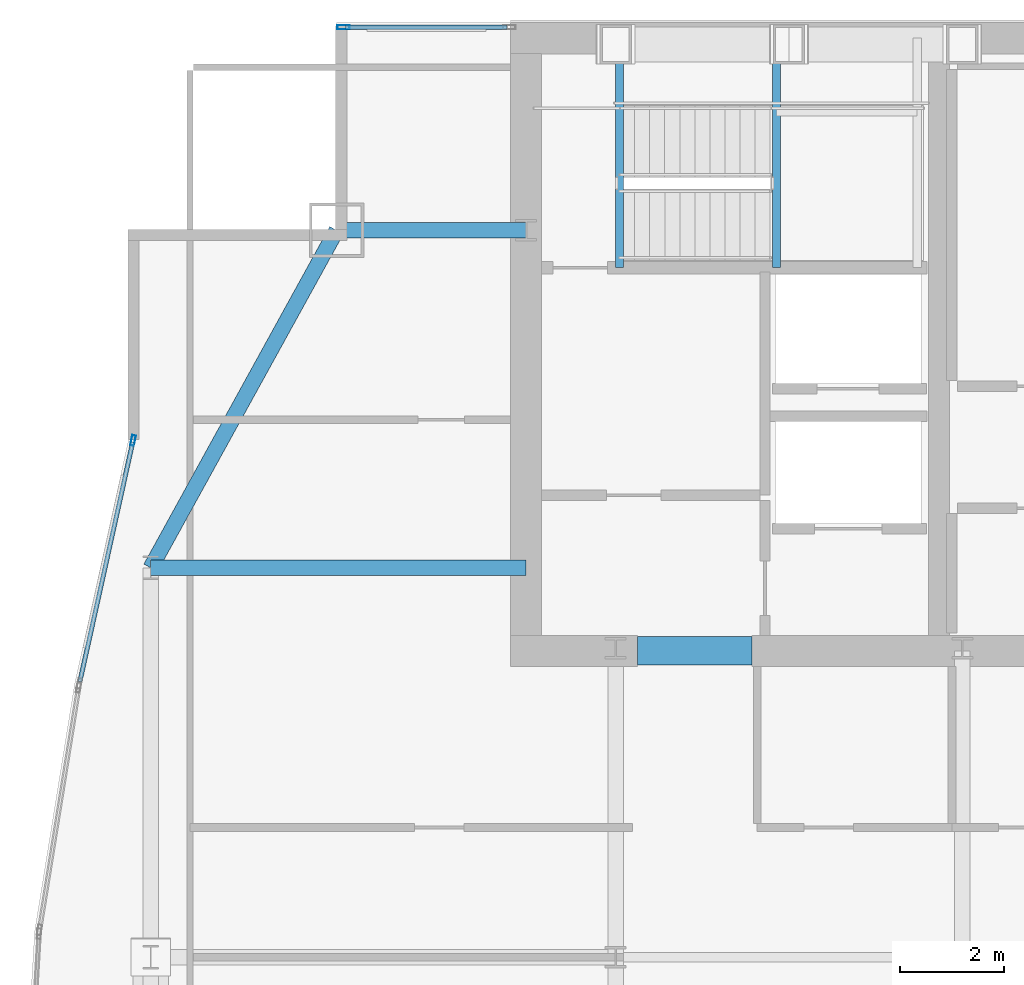
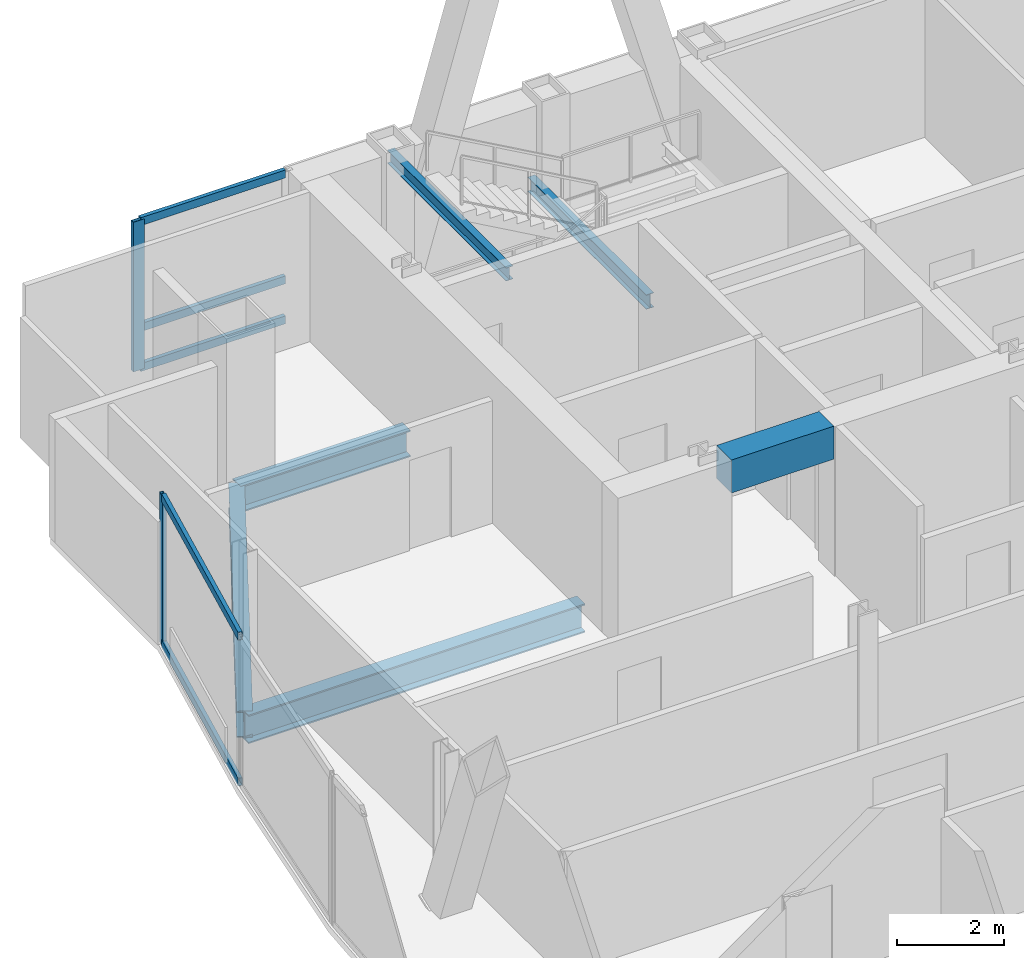
# One storey, part 21 of 31: 7 members, 6 beams, 2 elements without a shape of their own.
"""IFC4 building model written with IfcOpenShell, lengths in metres."""

from ifc_helpers import new_model, si_unit, direction, frame, origin, origin_2d, place, context, subcontext, project, spatial, rectangle, hollow_rectangle, i_section, extrude, material, material_profile, profile_set, type_object, element, aggregate, save


model = new_model("IFC4")

# Units and contexts
model_context = context("Model", 3, precision=1e-05, world=origin(), true_north=direction((0.0, 1.0)))
body_context = subcontext(model_context, "Body", "Model", "MODEL_VIEW")
ifc_project = project(units=[si_unit("LENGTHUNIT", "METRE"), si_unit("AREAUNIT", "SQUARE_METRE"), si_unit("VOLUMEUNIT", "CUBIC_METRE"), si_unit("PLANEANGLEUNIT", "RADIAN"), si_unit("MASSUNIT", "GRAM", prefix="KILO")], contexts=[model_context])

# Site, building, storey
site_placement = place(None, origin())
site = spatial("IfcSite", under=ifc_project, at=site_placement, CompositionType="ELEMENT")
building_placement = place(site_placement, origin())
building = spatial("IfcBuilding", under=site, at=building_placement, Name="Khoronbel Lancet Exchange", CompositionType="ELEMENT")
storey_placement = place(building_placement, frame((0.0, 0.0, 261.800048828125)))
storey = spatial("IfcBuildingStorey", under=building, at=storey_placement, Name="L67", CompositionType="ELEMENT", Elevation=261.800048828125)

# Beams
ifc_material_1 = material(Name="Steel S355", Category="steel")
ifc_material_profile_1 = material_profile(ifc_material_1, i_section(OverallWidth=0.300048828125, OverallDepth=0.64990234375, WebThickness=0.01611328125, FlangeThickness=0.031005859375, at=origin_2d()), Name="HEB 650")
ifc_profile_set_1 = profile_set([ifc_material_profile_1], Name="Steel S355")
beam_type_1 = type_object("IfcBeamType", Name="BM-BG4", PredefinedType="BEAM", material=ifc_profile_set_1)
beam_1_placement = place(storey_placement, frame((9.27001953125, 43.199951171875, -0.485107421875), z_axis=(1.0, 0.0, 0.0), x_axis=(0.0, 1.0, 0.0)))
element("IfcBeam", 1, at=beam_1_placement, inside=storey, type_object=beam_type_1, Name="Level L67 west lens tie girder LG3W", PredefinedType="BEAM", context=body_context, shape_type="SweptSolid", body=[
    extrude(i_section(OverallWidth=0.300048828125, OverallDepth=0.64990234375, WebThickness=0.01611328125, FlangeThickness=0.031005859375, at=origin_2d()), origin(), (0.0, 0.0, 1.0), 7.22998046875),
])
ifc_material_profile_2 = material_profile(ifc_material_1, i_section(OverallWidth=0.159912109375, OverallDepth=0.330078125, WebThickness=0.007568359375, FlangeThickness=0.011474609375, at=origin_2d()), Name="IPE 330")
ifc_profile_set_2 = profile_set([ifc_material_profile_2], Name="Steel S355")
beam_type_2 = type_object("IfcBeamType", Name="BM-BJ7", PredefinedType="JOIST", material=ifc_profile_set_2)
beam_2_placement = place(storey_placement, frame((21.320068359375, 48.97998046875, 1.43505859375), z_axis=(0.0, 1.0, 0.0), x_axis=(-1.0, 0.0, 0.0)))
element("IfcBeam", 2, at=beam_2_placement, inside=storey, type_object=beam_type_2, Name="Level L67 stair ST1 landing bearer beam 1", PredefinedType="JOIST", context=body_context, shape_type="SweptSolid", body=[
    extrude(i_section(OverallWidth=0.159912109375, OverallDepth=0.330078125, WebThickness=0.007568359375, FlangeThickness=0.011474609375, at=origin_2d()), origin(), (0.0, 0.0, 1.0), 4.419921875),
])
ifc_material_profile_3 = material_profile(ifc_material_1, i_section(OverallWidth=0.14990234375, OverallDepth=0.300048828125, WebThickness=0.007080078125, FlangeThickness=0.0107421875, at=origin_2d()), Name="IPE 300")
ifc_profile_set_3 = profile_set([ifc_material_profile_3], Name="Steel S355")
beam_type_3 = type_object("IfcBeamType", Name="BM-BJ8", PredefinedType="JOIST", material=ifc_profile_set_3)
beam_3_placement = place(storey_placement, frame((18.300048828125, 48.97998046875, 3.119873046875), z_axis=(0.0, 1.0, 0.0), x_axis=(-1.0, 0.0, 0.0)))
element("IfcBeam", 3, at=beam_3_placement, inside=storey, type_object=beam_type_3, Name="Level L67 stair ST1 upper-flight arrival trimmer beam", PredefinedType="JOIST", context=body_context, shape_type="SweptSolid", body=[
    extrude(i_section(OverallWidth=0.14990234375, OverallDepth=0.300048828125, WebThickness=0.007080078125, FlangeThickness=0.0107421875, at=origin_2d()), origin(), (0.0, 0.0, 1.0), 4.419921875),
])
ifc_material_2 = material(Name="Concrete C60/75", Category="concrete")
ifc_material_profile_4 = material_profile(ifc_material_2, rectangle(XDim=0.550048828125, YDim=0.75, at=origin_2d()), Name="RC 550x750")
ifc_profile_set_4 = profile_set([ifc_material_profile_4], Name="Concrete C60/75")
beam_type_4 = type_object("IfcBeamType", Name="BM-BL2", PredefinedType="LINTEL", material=ifc_profile_set_4)
beam_4_placement = place(storey_placement, frame((18.64990234375, 41.60009765625, 3.02490234375), z_axis=(1.0, 0.0, 0.0), x_axis=(0.0, 1.0, 0.0)))
element("IfcBeam", 4, at=beam_4_placement, inside=storey, type_object=beam_type_4, Name="Level L67 rear core coupling lintel L1", PredefinedType="LINTEL", context=body_context, shape_type="SweptSolid", body=[
    extrude(rectangle(XDim=0.550048828125, YDim=0.75, at=origin_2d()), origin(), (0.0, 0.0, 1.0), 2.2001953125),
])
ifc_material_profile_5 = material_profile(ifc_material_1, i_section(OverallWidth=0.300048828125, OverallDepth=0.60009765625, WebThickness=0.015380859375, FlangeThickness=0.030029296875, at=origin_2d()), Name="HEB 600")
ifc_profile_set_5 = profile_set([ifc_material_profile_5], Name="Steel S355")
beam_type_5 = type_object("IfcBeamType", Name="BM-BSP2", PredefinedType="SPANDREL", material=ifc_profile_set_5)
beam_5_placement = place(storey_placement, frame((12.85009765625, 49.699951171875, -0.4599609375), z_axis=(-0.482444051088, -0.875926787791, 0.0), x_axis=(0.875926787791, -0.482444051088, 0.0)))
element("IfcBeam", 5, at=beam_5_placement, inside=storey, type_object=beam_type_5, Name="Level L67 perimeter spandrel beam SP16", PredefinedType="SPANDREL", context=body_context, shape_type="SweptSolid", body=[
    extrude(i_section(OverallWidth=0.300048828125, OverallDepth=0.60009765625, WebThickness=0.015380859375, FlangeThickness=0.030029296875, at=origin_2d()), origin(), (0.0, 0.0, 1.0), 7.420654296875),
])
beam_6_placement = place(storey_placement, frame((12.85009765625, 49.699951171875, -0.4599609375), z_axis=(1.0, 0.0, 0.0), x_axis=(0.0, 1.0, 0.0)))
element("IfcBeam", 6, at=beam_6_placement, inside=storey, type_object=beam_type_5, Name="Level L67 north flank tie spandrel SP22", PredefinedType="SPANDREL", context=body_context, shape_type="SweptSolid", body=[
    extrude(i_section(OverallWidth=0.300048828125, OverallDepth=0.60009765625, WebThickness=0.015380859375, FlangeThickness=0.030029296875, at=origin_2d()), origin(), (0.0, 0.0, 1.0), 3.64990234375),
])

# Curtain wall, member
ifc_material_3 = material(Name="Low-E Solar Control Insulating Glass", Category="glass")
curtain_wall_type_1 = type_object("IfcCurtainWallType", Name="CW-3", PredefinedType="NOTDEFINED", material=ifc_material_3)
curtain_wall_1_placement = place(storey_placement, origin())
curtain_wall_1 = element("IfcCurtainWall", 7, at=curtain_wall_1_placement, inside=storey, type_object=curtain_wall_type_1, Name="Unitised curtain wall CW-L67-NWFLK", PredefinedType="NOTDEFINED")
ifc_material_4 = material(Name="Bronze-Anodised Aluminium 6063-T6", Category="aluminium")
ifc_material_profile_6 = material_profile(ifc_material_4, hollow_rectangle(XDim=0.0849609375, YDim=0.239990234375, WallThickness=0.006103515625, at=origin_2d()), Name="ALU MULLION 85x240")
ifc_profile_set_6 = profile_set([ifc_material_profile_6], Name="Bronze-Anodised Aluminium 6063-T6")
member_type_1 = type_object("IfcMemberType", Name="MEM-CWM1", PredefinedType="MULLION", material=ifc_profile_set_6)
member_1_placement = place(storey_placement, frame((12.982421875, 53.610107421875, 0.0), z_axis=(0.0, 0.0, 1.0), x_axis=(0.0, -1.0, 0.0)))
member_1 = element("IfcMember", 8, at=member_1_placement, type_object=member_type_1, Name="CW3 mullion 2", PredefinedType="MULLION", context=body_context, shape_type="SweptSolid", body=[
    extrude(hollow_rectangle(XDim=0.0849609375, YDim=0.239990234375, WallThickness=0.006103515625, at=origin_2d()), origin(), (0.0, 0.0, 1.0), 3.39990234375),
])

# Curtain wall, members
curtain_wall_type_2 = type_object("IfcCurtainWallType", Name="CW-4", PredefinedType="NOTDEFINED", material=ifc_material_3)
curtain_wall_2_placement = place(storey_placement, origin())
curtain_wall_2 = element("IfcCurtainWall", 9, at=curtain_wall_2_placement, inside=storey, type_object=curtain_wall_type_2, Name="Unitised curtain wall CW-L67-E09", PredefinedType="NOTDEFINED")
ifc_material_profile_7 = material_profile(ifc_material_4, hollow_rectangle(XDim=0.074951171875, YDim=0.199951171875, WallThickness=0.0048828125, at=origin_2d()), Name="ALU MULLION 75x200")
ifc_profile_set_7 = profile_set([ifc_material_profile_7], Name="Bronze-Anodised Aluminium 6063-T6")
member_type_2 = type_object("IfcMemberType", Name="MEM-CWM2", PredefinedType="MULLION", material=ifc_profile_set_7)
member_2_placement = place(storey_placement, frame((8.931884765625, 45.653564453125, 0.0), z_axis=(0.0, 0.0, 1.0), x_axis=(-0.976509102721, 0.215476152515, 0.0)))
member_2 = element("IfcMember", 10, at=member_2_placement, type_object=member_type_2, Name="CW4 mullion 2", PredefinedType="MULLION", context=body_context, shape_type="SweptSolid", body=[
    extrude(hollow_rectangle(XDim=0.074951171875, YDim=0.199951171875, WallThickness=0.0048828125, at=origin_2d()), origin(), (0.0, 0.0, 1.0), 3.39990234375),
])
ifc_material_profile_8 = material_profile(ifc_material_4, hollow_rectangle(XDim=0.0849609375, YDim=0.179931640625, WallThickness=0.0048828125, at=origin_2d()), Name="ALU TRANSOM 85x180")
ifc_profile_set_8 = profile_set([ifc_material_profile_8], Name="Bronze-Anodised Aluminium 6063-T6")
member_type_3 = type_object("IfcMemberType", Name="MEM-CWT1", PredefinedType="USERDEFINED", material=ifc_profile_set_8)
member_3_placement = place(storey_placement, frame((7.906494140625, 41.00634765625, 0.04248046875), z_axis=(0.215468391176, 0.976510815303, 0.0), x_axis=(-0.976510815303, 0.215468391176, 0.0)))
member_3 = element("IfcMember", 11, at=member_3_placement, type_object=member_type_3, Name="CW4 transom 1.1", ObjectType="TRANSOM", PredefinedType="USERDEFINED", context=body_context, shape_type="SweptSolid", body=[
    extrude(hollow_rectangle(XDim=0.0849609375, YDim=0.179931640625, WallThickness=0.0048828125, at=origin_2d()), origin(), (0.0, 0.0, 1.0), 4.721435546875),
])
member_4_placement = place(storey_placement, frame((7.906494140625, 41.00634765625, 3.357421875), z_axis=(0.215468391176, 0.976510815303, 0.0), x_axis=(-0.976510815303, 0.215468391176, 0.0)))
member_4 = element("IfcMember", 12, at=member_4_placement, type_object=member_type_3, Name="CW4 transom 1.2", ObjectType="TRANSOM", PredefinedType="USERDEFINED", context=body_context, shape_type="SweptSolid", body=[
    extrude(hollow_rectangle(XDim=0.0849609375, YDim=0.179931640625, WallThickness=0.0048828125, at=origin_2d()), origin(), (0.0, 0.0, 1.0), 4.721435546875),
])
aggregate(curtain_wall_2, [member_2, member_3, member_4])

# Member
member_5_placement = place(storey_placement, frame((16.135009765625, 53.610107421875, 0.04248046875), z_axis=(-1.0, 0.0, 0.0), x_axis=(0.0, -1.0, 0.0)))
member_5 = element("IfcMember", 13, at=member_5_placement, type_object=member_type_3, Name="CW3 transom 1.1", ObjectType="TRANSOM", PredefinedType="USERDEFINED", context=body_context, shape_type="SweptSolid", body=[
    extrude(hollow_rectangle(XDim=0.0849609375, YDim=0.179931640625, WallThickness=0.0048828125, at=origin_2d()), origin(), (0.0, 0.0, 1.0), 3.110107421875),
])

member_6_placement = place(storey_placement, frame((16.135009765625, 53.610107421875, 0.949951171875), z_axis=(-1.0, 0.0, 0.0), x_axis=(0.0, -1.0, 0.0)))
member_6 = element("IfcMember", 14, at=member_6_placement, type_object=member_type_3, Name="CW3 transom 1.2", ObjectType="TRANSOM", PredefinedType="USERDEFINED", context=body_context, shape_type="SweptSolid", body=[
    extrude(hollow_rectangle(XDim=0.0849609375, YDim=0.179931640625, WallThickness=0.0048828125, at=origin_2d()), origin(), (0.0, 0.0, 1.0), 3.110107421875),
])

member_7_placement = place(storey_placement, frame((16.135009765625, 53.610107421875, 3.357421875), z_axis=(-1.0, 0.0, 0.0), x_axis=(0.0, -1.0, 0.0)))
member_7 = element("IfcMember", 15, at=member_7_placement, type_object=member_type_3, Name="CW3 transom 1.3", ObjectType="TRANSOM", PredefinedType="USERDEFINED", context=body_context, shape_type="SweptSolid", body=[
    extrude(hollow_rectangle(XDim=0.0849609375, YDim=0.179931640625, WallThickness=0.0048828125, at=origin_2d()), origin(), (0.0, 0.0, 1.0), 3.110107421875),
])

aggregate(curtain_wall_1, [member_1, member_5, member_6, member_7])

save(model, "model.ifc")
